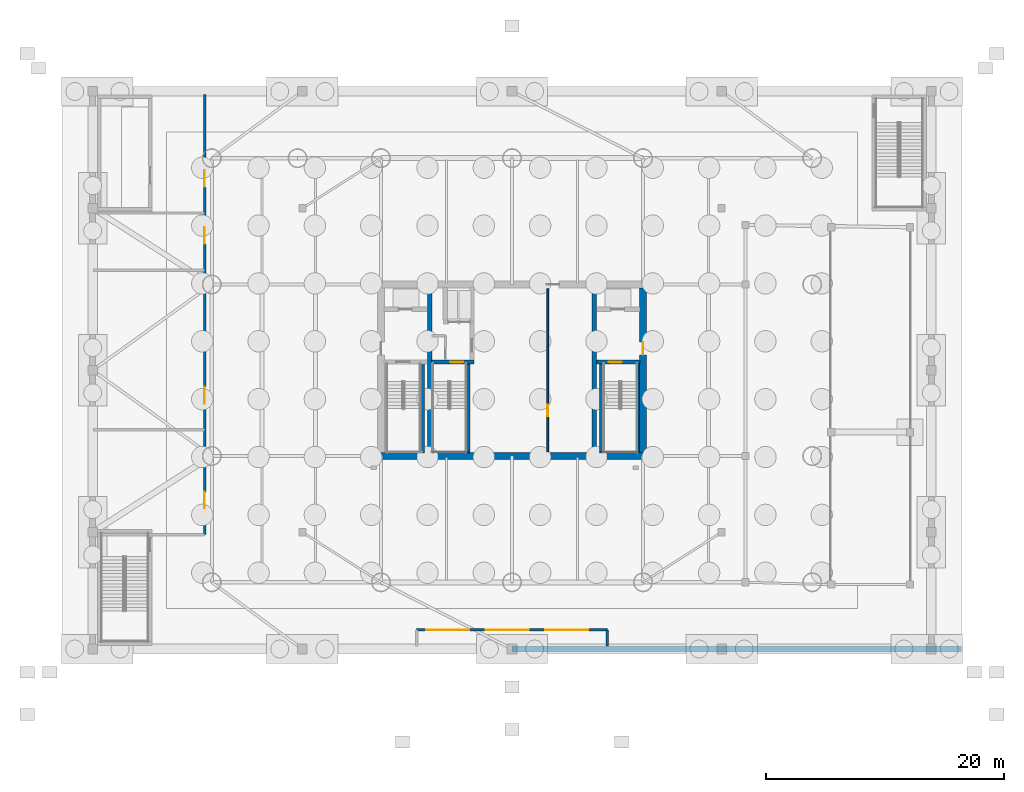
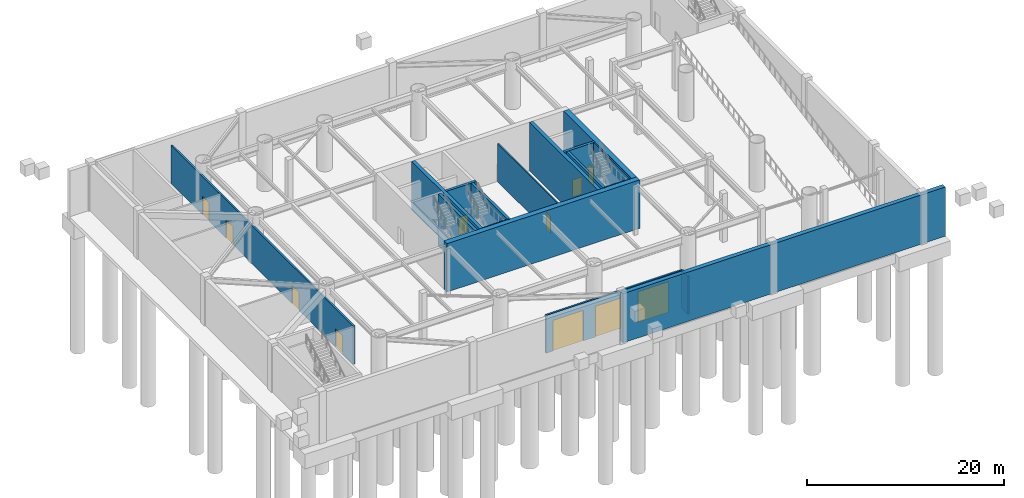
# One storey, part 4 of 12: 17 walls, 11 doors, 11 openings.
"""IFC4 building model written with IfcOpenShell, lengths in metres."""

from ifc_helpers import new_model, si_unit, direction, frame, frame_2d, origin, place, context, subcontext, project, spatial, rectangle, extrude, material, layer, layer_set, type_object, element, fill, save


model = new_model("IFC4")

# Units and contexts
model_context = context("Model", 3, precision=1e-05, world=origin(), true_north=direction((0.0, 1.0)))
body_context = subcontext(model_context, "Body", "Model", "MODEL_VIEW")
ifc_project = project(units=[si_unit("LENGTHUNIT", "METRE"), si_unit("AREAUNIT", "SQUARE_METRE"), si_unit("VOLUMEUNIT", "CUBIC_METRE"), si_unit("PLANEANGLEUNIT", "RADIAN"), si_unit("MASSUNIT", "GRAM", prefix="KILO")], contexts=[model_context])

# Site, building, storey
site_placement = place(None, origin())
site = spatial("IfcSite", under=ifc_project, at=site_placement, CompositionType="ELEMENT")
building_placement = place(site_placement, origin())
building = spatial("IfcBuilding", under=site, at=building_placement, Name="Bramvorn Convention Spire", CompositionType="ELEMENT")
storey_placement = place(building_placement, frame((0.0, 0.0, -6.0)))
storey = spatial("IfcBuildingStorey", under=building, at=storey_placement, Name="B1", CompositionType="ELEMENT", Elevation=-6.0)

# Walls
ifc_material_1 = material(Name="Concrete C60/70", Category="concrete")
ifc_layer_1 = layer(ifc_material_1, 0.5)
ifc_layer_set_1 = layer_set([ifc_layer_1], Name="Concrete C60/70 - WL-BSMT-RET-500")
wall_type_1 = type_object("IfcWallType", Name="WL-BSMT-RET-500", PredefinedType="USERDEFINED", material=ifc_layer_set_1)
wall_1_placement = place(storey_placement, frame((38.0, 2.60009765625, -0.449951171875), z_axis=(0.0, 0.0, 1.0), x_axis=(1.0, 0.0, 0.0)))
element("IfcWall", 1, at=wall_1_placement, inside=storey, type_object=wall_type_1, Name="B1 basement retaining wall S2", ObjectType="RETAINING WALL", PredefinedType="USERDEFINED", context=body_context, shape_type="SweptSolid", body=[
    extrude(rectangle(XDim=37.75, YDim=0.5, at=frame_2d((18.875, 0.0))), origin(), (0.0, 0.0, 1.0), 6.099853515625),
])
ifc_layer_2 = layer(ifc_material_1, 0.60009765625)
ifc_layer_set_2 = layer_set([ifc_layer_2], Name="Concrete C60/70 - WL-CORE-600")
wall_type_2 = type_object("IfcWallType", Name="WL-CORE-600", PredefinedType="SHEAR", material=ifc_layer_set_2)
wall_2_placement = place(storey_placement, frame((26.699951171875, 18.800048828125, 0.0), z_axis=(0.0, 0.0, 1.0), x_axis=(1.0, 0.0, 0.0)))
element("IfcWall", 2, at=wall_2_placement, inside=storey, type_object=wall_type_2, Name="B1 South RC core shear wall", PredefinedType="SHEAR", context=body_context, shape_type="SweptSolid", body=[
    extrude(rectangle(XDim=22.60009765625, YDim=0.60009765625, at=frame_2d((11.300048828125, 0.0))), origin(), (0.0, 0.0, 1.0), 6.0),
])

# Wall, opening, door
wall_3_placement = place(storey_placement, frame((49.0, 19.10009765625, 0.0), z_axis=(0.0, 0.0, 1.0), x_axis=(0.0, 1.0, 0.0)))
wall_3 = element("IfcWall", 3, at=wall_3_placement, inside=storey, type_object=wall_type_2, Name="B1 East RC core shear wall", PredefinedType="SHEAR", context=body_context, shape_type="SweptSolid", body=[
    extrude(rectangle(XDim=13.7998046875, YDim=0.60009765625, at=frame_2d((6.89990234375, 0.0))), origin(), (0.0, 0.0, 1.0), 6.0),
])
opening_1_placement = place(wall_3_placement, frame((8.199951171875, 0.0, 0.0)))
opening_1 = element("IfcOpeningElement", 4, at=opening_1_placement, cuts=wall_3, Name="Opening DL-105", PredefinedType="OPENING", context=body_context, shape_type="SweptSolid", body=[
    extrude(rectangle(XDim=1.050048828125, YDim=2.14990234375, at=frame_2d((0.52490234375, 1.074951171875))), frame((0.0, 0.31005859375, 0.0), z_axis=(0.0, -1.0, 0.0), x_axis=(1.0, 0.0, 0.0)), (0.0, 0.0, 1.0), 0.6201171875),
])
ifc_material_2 = material(Name="Smoke-Sealed Fire Lobby Timber-Core Door", Category="wood")
door_type_1 = type_object("IfcDoorType", Name="DR-LOBBY-1050", OperationType="NOTDEFINED", PredefinedType="DOOR", material=ifc_material_2)
door_1_placement = place(opening_1_placement, origin())
door_1 = element("IfcDoor", 5, at=door_1_placement, inside=storey, type_object=door_type_1, Name="B1 East Firefighting Lobby corridor door", OperationType="SINGLE_SWING_LEFT", OverallHeight=2.14990234375, OverallWidth=1.050048828125, PredefinedType="DOOR", context=body_context, shape_type="SweptSolid", body=[
    extrude(rectangle(XDim=1.050048828125, YDim=2.14990234375, at=frame_2d((0.52490234375, 1.074951171875))), frame((0.0, 0.02490234375, 0.0), z_axis=(0.0, -1.0, 0.0), x_axis=(1.0, 0.0, 0.0)), (0.0, 0.0, 1.0), 0.050048828125),
])
fill(opening_1, door_1)

# Walls
ifc_layer_3 = layer(ifc_material_1, 0.39990234375)
ifc_layer_set_3 = layer_set([ifc_layer_3], Name="Concrete C60/70 - WL-CORE-INT-400")
wall_type_3 = type_object("IfcWallType", Name="WL-CORE-INT-400", PredefinedType="SHEAR", material=ifc_layer_set_3)
for number, where, z_axis, x_axis, name in (
    (6, (31.10009765625, 19.10009765625, 0.0), (0.0, 0.0, 1.0), (0.0, 1.0, 0.0), "B1 West internal core shear web"),
    (7, (44.89990234375, 19.10009765625, 0.0), (0.0, 0.0, 1.0), (0.0, 1.0, 0.0), "B1 East internal core shear web"),
):
    element("IfcWall", number, at=place(storey_placement, frame(where, z_axis=z_axis, x_axis=x_axis)), inside=storey, type_object=wall_type_3, Name=name, PredefinedType="SHEAR", context=body_context, shape_type="SweptSolid", body=[
        extrude(rectangle(XDim=13.7998046875, YDim=0.39990234375, at=frame_2d((6.89990234375, 0.0))), origin(), (0.0, 0.0, 1.0), 6.0),
    ])

# Wall, opening, door
ifc_material_3 = material(Name="Acoustic Metal-Stud Tenant/Corridor Partition", Category="gypsum")
ifc_layer_4 = layer(ifc_material_3, 0.14990234375)
ifc_layer_set_4 = layer_set([ifc_layer_4], Name="Acoustic Metal-Stud Tenant/Corridor Partition - WL-PART-150")
wall_type_4 = type_object("IfcWallType", Name="WL-PART-150", PredefinedType="PARTITIONING", material=ifc_layer_set_4)
wall_4_placement = place(storey_placement, frame((41.0, 19.14990234375, 0.0), z_axis=(0.0, 0.0, 1.0), x_axis=(0.0, 1.0, 0.0)))
wall_4 = element("IfcWall", 8, at=wall_4_placement, inside=storey, type_object=wall_type_4, Name="B1 core service wall", PredefinedType="PARTITIONING", context=body_context, shape_type="SweptSolid", body=[
    extrude(rectangle(XDim=13.7001953125, YDim=0.14990234375, at=frame_2d((6.85009765625, 0.0))), origin(), (0.0, 0.0, 1.0), 4.7099609375),
])
opening_2_placement = place(wall_4_placement, frame((3.0, 0.0, 0.0)))
opening_2 = element("IfcOpeningElement", 9, at=opening_2_placement, cuts=wall_4, Name="Opening DH-095", PredefinedType="OPENING", context=body_context, shape_type="SweptSolid", body=[
    extrude(rectangle(XDim=0.949951171875, YDim=2.14990234375, at=frame_2d((0.47509765625, 1.074951171875))), frame((0.0, 0.0849609375, 0.0), z_axis=(0.0, -1.0, 0.0), x_axis=(1.0, 0.0, 0.0)), (0.0, 0.0, 1.0), 0.169921875),
])
ifc_material_4 = material(Name="Solid-Core Acoustic Guestroom Entry Door", Category="wood")
door_type_2 = type_object("IfcDoorType", Name="DR-HOTEL-950", OperationType="NOTDEFINED", PredefinedType="DOOR", material=ifc_material_4)
door_2_placement = place(opening_2_placement, origin())
door_2 = element("IfcDoor", 10, at=door_2_placement, inside=storey, type_object=door_type_2, Name="B1 Core Store door", OperationType="SINGLE_SWING_LEFT", OverallHeight=2.14990234375, OverallWidth=0.949951171875, PredefinedType="DOOR", context=body_context, shape_type="SweptSolid", body=[
    extrude(rectangle(XDim=0.949951171875, YDim=2.14990234375, at=frame_2d((0.47509765625, 1.074951171875))), frame((0.0, 0.02490234375, 0.0), z_axis=(0.0, -1.0, 0.0), x_axis=(1.0, 0.0, 0.0)), (0.0, 0.0, 1.0), 0.050048828125),
])
fill(opening_2, door_2)

# Wall, openings, doors
ifc_material_5 = material(Name="Gypsum Shaftwall & Rockwool Core Partition", Category="gypsum")
ifc_layer_5 = layer(ifc_material_5, 0.199951171875)
ifc_layer_set_5 = layer_set([ifc_layer_5], Name="Gypsum Shaftwall & Rockwool Core Partition - WL-PART-200-FR")
wall_type_5 = type_object("IfcWallType", Name="WL-PART-200-FR", PredefinedType="PARTITIONING", material=ifc_layer_set_5)
wall_5_placement = place(storey_placement, frame((12.199951171875, 12.199951171875, 0.0), z_axis=(0.0, 0.0, 1.0), x_axis=(0.0, 1.0, 0.0)))
wall_5 = element("IfcWall", 11, at=wall_5_placement, inside=storey, type_object=wall_type_5, Name="B1 West plant corridor wall", PredefinedType="PARTITIONING", context=body_context, shape_type="SweptSolid", body=[
    extrude(rectangle(XDim=36.949951171875, YDim=0.199951171875, at=frame_2d((18.47509765625, 0.0))), origin(), (0.0, 0.0, 1.0), 4.7099609375),
])
opening_3_placement = place(wall_5_placement, frame((2.199951171875, 0.0, 0.0)))
opening_3 = element("IfcOpeningElement", 12, at=opening_3_placement, cuts=wall_5, Name="Opening DP-140", PredefinedType="OPENING", context=body_context, shape_type="SweptSolid", body=[
    extrude(rectangle(XDim=1.39990234375, YDim=2.25, at=frame_2d((0.699951171875, 1.125))), frame((0.0, 0.10986328125, 0.0), z_axis=(0.0, -1.0, 0.0), x_axis=(1.0, 0.0, 0.0)), (0.0, 0.0, 1.0), 0.219970703125),
])
opening_4_placement = place(wall_5_placement, frame((11.0, 0.0, 0.0)))
opening_4 = element("IfcOpeningElement", 13, at=opening_4_placement, cuts=wall_5, Name="Opening DP-140", PredefinedType="OPENING", context=body_context, shape_type="SweptSolid", body=[
    extrude(rectangle(XDim=1.39990234375, YDim=2.25, at=frame_2d((0.699951171875, 1.125))), frame((0.0, 0.10986328125, 0.0), z_axis=(0.0, -1.0, 0.0), x_axis=(1.0, 0.0, 0.0)), (0.0, 0.0, 1.0), 0.219970703125),
])
opening_5_placement = place(wall_5_placement, frame((24.39990234375, 0.0, 0.0)))
opening_5 = element("IfcOpeningElement", 14, at=opening_5_placement, cuts=wall_5, Name="Opening DP-140", PredefinedType="OPENING", context=body_context, shape_type="SweptSolid", body=[
    extrude(rectangle(XDim=1.39990234375, YDim=2.25, at=frame_2d((0.699951171875, 1.125))), frame((0.0, 0.10986328125, 0.0), z_axis=(0.0, -1.0, 0.0), x_axis=(1.0, 0.0, 0.0)), (0.0, 0.0, 1.0), 0.219970703125),
])
opening_6_placement = place(wall_5_placement, frame((29.199951171875, 0.0, 0.0)))
opening_6 = element("IfcOpeningElement", 15, at=opening_6_placement, cuts=wall_5, Name="Opening DP-140", PredefinedType="OPENING", context=body_context, shape_type="SweptSolid", body=[
    extrude(rectangle(XDim=1.39990234375, YDim=2.25, at=frame_2d((0.699951171875, 1.125))), frame((0.0, 0.10986328125, 0.0), z_axis=(0.0, -1.0, 0.0), x_axis=(1.0, 0.0, 0.0)), (0.0, 0.0, 1.0), 0.219970703125),
])
ifc_material_6 = material(Name="Heavy-Duty Acoustic Louvre Plant Room Door", Category="steel")
door_type_3 = type_object("IfcDoorType", Name="DR-PLANT-1400", OperationType="NOTDEFINED", PredefinedType="DOOR", material=ifc_material_6)
door_3_placement = place(opening_3_placement, origin())
door_3 = element("IfcDoor", 16, at=door_3_placement, inside=storey, type_object=door_type_3, Name="B1 Central Chiller & Deep-Lake Heat-Exchanger Plant double door", OperationType="DOUBLE_DOOR_SINGLE_SWING", OverallHeight=2.25, OverallWidth=1.39990234375, PredefinedType="DOOR", context=body_context, shape_type="SweptSolid", body=[
    extrude(rectangle(XDim=1.39990234375, YDim=2.25, at=frame_2d((0.699951171875, 1.125))), frame((0.0, 0.02490234375, 0.0), z_axis=(0.0, -1.0, 0.0), x_axis=(1.0, 0.0, 0.0)), (0.0, 0.0, 1.0), 0.050048828125),
])
fill(opening_3, door_3)
door_4_placement = place(opening_4_placement, origin())
door_4 = element("IfcDoor", 17, at=door_4_placement, inside=storey, type_object=door_type_3, Name="B1 Domestic Water Booster, Fire Pump & Sprinkler Tank Room double door", OperationType="DOUBLE_DOOR_SINGLE_SWING", OverallHeight=2.25, OverallWidth=1.39990234375, PredefinedType="DOOR", context=body_context, shape_type="SweptSolid", body=[
    extrude(rectangle(XDim=1.39990234375, YDim=2.25, at=frame_2d((0.699951171875, 1.125))), frame((0.0, 0.02490234375, 0.0), z_axis=(0.0, -1.0, 0.0), x_axis=(1.0, 0.0, 0.0)), (0.0, 0.0, 1.0), 0.050048828125),
])
fill(opening_4, door_4)
door_5_placement = place(opening_5_placement, origin())
door_5 = element("IfcDoor", 18, at=door_5_placement, inside=storey, type_object=door_type_3, Name="B1 Primary High-Voltage Substation & Switchgear Room double door", OperationType="DOUBLE_DOOR_SINGLE_SWING", OverallHeight=2.25, OverallWidth=1.39990234375, PredefinedType="DOOR", context=body_context, shape_type="SweptSolid", body=[
    extrude(rectangle(XDim=1.39990234375, YDim=2.25, at=frame_2d((0.699951171875, 1.125))), frame((0.0, 0.02490234375, 0.0), z_axis=(0.0, -1.0, 0.0), x_axis=(1.0, 0.0, 0.0)), (0.0, 0.0, 1.0), 0.050048828125),
])
fill(opening_5, door_5)
door_6_placement = place(opening_6_placement, origin())
door_6 = element("IfcDoor", 19, at=door_6_placement, inside=storey, type_object=door_type_3, Name="B1 Emergency Standby Generator & ATS Plant Room double door", OperationType="DOUBLE_DOOR_SINGLE_SWING", OverallHeight=2.25, OverallWidth=1.39990234375, PredefinedType="DOOR", context=body_context, shape_type="SweptSolid", body=[
    extrude(rectangle(XDim=1.39990234375, YDim=2.25, at=frame_2d((0.699951171875, 1.125))), frame((0.0, 0.02490234375, 0.0), z_axis=(0.0, -1.0, 0.0), x_axis=(1.0, 0.0, 0.0)), (0.0, 0.0, 1.0), 0.050048828125),
])
fill(opening_6, door_6)

wall_6_placement = place(storey_placement, frame((30.0, 4.199951171875, 0.0), z_axis=(0.0, 0.0, 1.0), x_axis=(1.0, 0.0, 0.0)))
wall_6 = element("IfcWall", 20, at=wall_6_placement, inside=storey, type_object=wall_type_5, Name="B1 Service equipment bay shutter wall", PredefinedType="PARTITIONING", context=body_context, shape_type="SweptSolid", body=[
    extrude(rectangle(XDim=16.0, YDim=0.199951171875, at=frame_2d((8.0, 0.0))), origin(), (0.0, 0.0, 1.0), 4.7099609375),
])
opening_7_placement = place(wall_6_placement, frame((0.800048828125, 0.0, 0.0)))
opening_7 = element("IfcOpeningElement", 21, at=opening_7_placement, cuts=wall_6, Name="Opening VD01", PredefinedType="OPENING", context=body_context, shape_type="SweptSolid", body=[
    extrude(rectangle(XDim=3.60009765625, YDim=3.800048828125, at=frame_2d((1.800048828125, 1.89990234375))), frame((0.0, 0.10986328125, 0.0), z_axis=(0.0, -1.0, 0.0), x_axis=(1.0, 0.0, 0.0)), (0.0, 0.0, 1.0), 0.219970703125),
])
opening_8_placement = place(wall_6_placement, frame((5.800048828125, 0.0, 0.0)))
opening_8 = element("IfcOpeningElement", 22, at=opening_8_placement, cuts=wall_6, Name="Opening VD01", PredefinedType="OPENING", context=body_context, shape_type="SweptSolid", body=[
    extrude(rectangle(XDim=3.60009765625, YDim=3.800048828125, at=frame_2d((1.800048828125, 1.89990234375))), frame((0.0, 0.10986328125, 0.0), z_axis=(0.0, -1.0, 0.0), x_axis=(1.0, 0.0, 0.0)), (0.0, 0.0, 1.0), 0.219970703125),
])
opening_9_placement = place(wall_6_placement, frame((10.800048828125, 0.0, 0.0)))
opening_9 = element("IfcOpeningElement", 23, at=opening_9_placement, cuts=wall_6, Name="Opening VD01", PredefinedType="OPENING", context=body_context, shape_type="SweptSolid", body=[
    extrude(rectangle(XDim=3.60009765625, YDim=3.800048828125, at=frame_2d((1.800048828125, 1.89990234375))), frame((0.0, 0.10986328125, 0.0), z_axis=(0.0, -1.0, 0.0), x_axis=(1.0, 0.0, 0.0)), (0.0, 0.0, 1.0), 0.219970703125),
])
ifc_material_7 = material(Name="Anodised Bronze Aluminium & Laminated Safety Glass", Category="aluminium")
door_type_4 = type_object("IfcDoorType", Name="DR-DOCK-3600X3800", OperationType="NOTDEFINED", PredefinedType="TRAPDOOR", material=ifc_material_7)
door_7_placement = place(opening_7_placement, origin())
door_7 = element("IfcDoor", 24, at=door_7_placement, inside=storey, type_object=door_type_4, Name="B1 Service Bay Overhead Shutter 1", OperationType="ROLLINGUP", OverallHeight=3.800048828125, OverallWidth=3.60009765625, PredefinedType="TRAPDOOR", context=body_context, shape_type="SweptSolid", body=[
    extrude(rectangle(XDim=3.60009765625, YDim=3.800048828125, at=frame_2d((1.800048828125, 1.89990234375))), frame((0.0, 0.02490234375, 0.0), z_axis=(0.0, -1.0, 0.0), x_axis=(1.0, 0.0, 0.0)), (0.0, 0.0, 1.0), 0.050048828125),
])
fill(opening_7, door_7)
door_8_placement = place(opening_8_placement, origin())
door_8 = element("IfcDoor", 25, at=door_8_placement, inside=storey, type_object=door_type_4, Name="B1 Service Bay Overhead Shutter 2", OperationType="ROLLINGUP", OverallHeight=3.800048828125, OverallWidth=3.60009765625, PredefinedType="TRAPDOOR", context=body_context, shape_type="SweptSolid", body=[
    extrude(rectangle(XDim=3.60009765625, YDim=3.800048828125, at=frame_2d((1.800048828125, 1.89990234375))), frame((0.0, 0.02490234375, 0.0), z_axis=(0.0, -1.0, 0.0), x_axis=(1.0, 0.0, 0.0)), (0.0, 0.0, 1.0), 0.050048828125),
])
fill(opening_8, door_8)
door_9_placement = place(opening_9_placement, origin())
door_9 = element("IfcDoor", 26, at=door_9_placement, inside=storey, type_object=door_type_4, Name="B1 Service Bay Overhead Shutter 3", OperationType="ROLLINGUP", OverallHeight=3.800048828125, OverallWidth=3.60009765625, PredefinedType="TRAPDOOR", context=body_context, shape_type="SweptSolid", body=[
    extrude(rectangle(XDim=3.60009765625, YDim=3.800048828125, at=frame_2d((1.800048828125, 1.89990234375))), frame((0.0, 0.02490234375, 0.0), z_axis=(0.0, -1.0, 0.0), x_axis=(1.0, 0.0, 0.0)), (0.0, 0.0, 1.0), 0.050048828125),
])
fill(opening_9, door_9)

# Walls
wall_7_placement = place(storey_placement, frame((46.0, 2.85009765625, 0.0), z_axis=(0.0, 0.0, 1.0), x_axis=(0.0, 1.0, 0.0)))
element("IfcWall", 27, at=wall_7_placement, inside=storey, type_object=wall_type_5, Name="B1 Service bay east return", PredefinedType="PARTITIONING", context=body_context, shape_type="SweptSolid", body=[
    extrude(rectangle(XDim=1.349853515625, YDim=0.199951171875, at=frame_2d((0.6748046875, 0.0))), origin(), (0.0, 0.0, 1.0), 4.7099609375),
])
ifc_material_8 = material(Name="Concrete C50/60", Category="concrete")
ifc_layer_6 = layer(ifc_material_8, 0.300048828125)
ifc_layer_set_6 = layer_set([ifc_layer_6], Name="Concrete C50/60 - WL-POD-STAIR-300")
wall_type_6 = type_object("IfcWallType", Name="WL-POD-STAIR-300", PredefinedType="SHEAR", material=ifc_layer_set_6)
wall_8_placement = place(storey_placement, frame((30.489990234375, 19.050048828125, -0.449951171875), z_axis=(0.0, 0.0, 1.0), x_axis=(0.0, 1.0, 0.0)))
element("IfcWall", 28, at=wall_8_placement, inside=storey, type_object=wall_type_6, Name="B1 ST1 east bearing wall", PredefinedType="SHEAR", context=body_context, shape_type="SweptSolid", body=[
    extrude(rectangle(XDim=7.5, YDim=0.300048828125, at=frame_2d((3.75, 0.0))), origin(), (0.0, 0.0, 1.0), 6.449951171875),
])

# Wall, opening, door
wall_9_placement = place(storey_placement, frame((45.080078125, 26.68994140625, -0.449951171875), z_axis=(0.0, 0.0, 1.0), x_axis=(1.0, 0.0, 0.0)))
wall_9 = element("IfcWall", 29, at=wall_9_placement, inside=storey, type_object=wall_type_6, Name="B1 ST2 north fire wall", PredefinedType="SHEAR", context=body_context, shape_type="SweptSolid", body=[
    extrude(rectangle(XDim=3.669921875, YDim=0.300048828125, at=frame_2d((1.8349609375, 0.0))), origin(), (0.0, 0.0, 1.0), 6.449951171875),
])
opening_10_placement = place(wall_9_placement, frame((1.050048828125, 0.0, 0.449951171875)))
opening_10 = element("IfcOpeningElement", 30, at=opening_10_placement, cuts=wall_9, Name="Opening DS-110", PredefinedType="OPENING", context=body_context, shape_type="SweptSolid", body=[
    extrude(rectangle(XDim=1.10009765625, YDim=2.14990234375, at=frame_2d((0.550048828125, 1.074951171875))), frame((0.0, 0.159912109375, 0.0), z_axis=(0.0, -1.0, 0.0), x_axis=(1.0, 0.0, 0.0)), (0.0, 0.0, 1.0), 0.320068359375),
])
ifc_material_9 = material(Name="Fire-Rated Hollow Steel Stairwell Door", Category="steel")
door_type_5 = type_object("IfcDoorType", Name="DR-STAIR-1100", OperationType="NOTDEFINED", PredefinedType="DOOR", material=ifc_material_9)
door_10_placement = place(opening_10_placement, origin())
door_10 = element("IfcDoor", 31, at=door_10_placement, inside=storey, type_object=door_type_5, Name="B1 Stair ST2 fire door", OperationType="SINGLE_SWING_RIGHT", OverallHeight=2.14990234375, OverallWidth=1.10009765625, PredefinedType="DOOR", context=body_context, shape_type="SweptSolid", body=[
    extrude(rectangle(XDim=1.10009765625, YDim=2.14990234375, at=frame_2d((0.550048828125, 1.074951171875))), frame((0.0, 0.02490234375, 0.0), z_axis=(0.0, -1.0, 0.0), x_axis=(1.0, 0.0, 0.0)), (0.0, 0.0, 1.0), 0.050048828125),
])
fill(opening_10, door_10)

# Walls
for number, where, z_axis, x_axis, name in (
    (32, (45.510009765625, 19.050048828125, -0.449951171875), (0.0, 0.0, 1.0), (0.0, 1.0, 0.0), "B1 ST2 west bearing wall"),
    (33, (34.340087890625, 19.050048828125, -0.449951171875), (0.0, 0.0, 1.0), (0.0, 1.0, 0.0), "B1 ST3 east bearing wall"),
):
    element("IfcWall", number, at=place(storey_placement, frame(where, z_axis=z_axis, x_axis=x_axis)), inside=storey, type_object=wall_type_6, Name=name, PredefinedType="SHEAR", context=body_context, shape_type="SweptSolid", body=[
        extrude(rectangle(XDim=7.5, YDim=0.300048828125, at=frame_2d((3.75, 0.0))), origin(), (0.0, 0.0, 1.0), 6.449951171875),
    ])

# Wall, opening, door
wall_10_placement = place(storey_placement, frame((31.25, 26.68994140625, -0.449951171875), z_axis=(0.0, 0.0, 1.0), x_axis=(1.0, 0.0, 0.0)))
wall_10 = element("IfcWall", 34, at=wall_10_placement, inside=storey, type_object=wall_type_6, Name="B1 ST3 north lobby wall", PredefinedType="SHEAR", context=body_context, shape_type="SweptSolid", body=[
    extrude(rectangle(XDim=3.56005859375, YDim=0.300048828125, at=frame_2d((1.780029296875, 0.0))), origin(), (0.0, 0.0, 1.0), 6.449951171875),
])
opening_11_placement = place(wall_10_placement, frame((1.550048828125, 0.0, 0.449951171875)))
opening_11 = element("IfcOpeningElement", 35, at=opening_11_placement, cuts=wall_10, Name="Opening DS-110", PredefinedType="OPENING", context=body_context, shape_type="SweptSolid", body=[
    extrude(rectangle(XDim=1.10009765625, YDim=2.14990234375, at=frame_2d((0.550048828125, 1.074951171875))), frame((0.0, 0.159912109375, 0.0), z_axis=(0.0, -1.0, 0.0), x_axis=(1.0, 0.0, 0.0)), (0.0, 0.0, 1.0), 0.320068359375),
])
door_11_placement = place(opening_11_placement, origin())
door_11 = element("IfcDoor", 36, at=door_11_placement, inside=storey, type_object=door_type_5, Name="B1 Stair ST3 fire door", OperationType="SINGLE_SWING_LEFT", OverallHeight=2.14990234375, OverallWidth=1.10009765625, PredefinedType="DOOR", context=body_context, shape_type="SweptSolid", body=[
    extrude(rectangle(XDim=1.10009765625, YDim=2.14990234375, at=frame_2d((0.550048828125, 1.074951171875))), frame((0.0, 0.02490234375, 0.0), z_axis=(0.0, -1.0, 0.0), x_axis=(1.0, 0.0, 0.0)), (0.0, 0.0, 1.0), 0.050048828125),
])
fill(opening_11, door_11)

# Walls
ifc_layer_7 = layer(ifc_material_8, 0.1201171875)
ifc_layer_set_7 = layer_set([ifc_layer_7], Name="Concrete C50/60 - WL-STAIR-RC-120")
wall_type_7 = type_object("IfcWallType", Name="WL-STAIR-RC-120", PredefinedType="SHEAR", material=ifc_layer_set_7)
wall_11_placement = place(storey_placement, frame((48.60498046875, 19.10009765625, -0.449951171875), z_axis=(0.0, 0.0, 1.0), x_axis=(0.0, 1.0, 0.0)))
element("IfcWall", 37, at=wall_11_placement, inside=storey, type_object=wall_type_7, Name="B1 ST2 east bearing shear wall", PredefinedType="SHEAR", context=body_context, shape_type="SweptSolid", body=[
    extrude(rectangle(XDim=7.449951171875, YDim=0.1201171875, at=frame_2d((3.72509765625, 0.0))), origin(), (0.0, 0.0, 1.0), 6.449951171875),
])
wall_12_placement = place(storey_placement, frame((45.510009765625, 19.159912109375, -0.449951171875), z_axis=(0.0, 0.0, 1.0), x_axis=(1.0, 0.0, 0.0)))
element("IfcWall", 38, at=wall_12_placement, inside=storey, type_object=wall_type_7, Name="B1 ST2 south bearing shear wall", PredefinedType="SHEAR", context=body_context, shape_type="SweptSolid", body=[
    extrude(rectangle(XDim=3.094970703125, YDim=0.1201171875, at=frame_2d((1.54736328125, 0.0))), origin(), (0.0, 0.0, 1.0), 6.449951171875),
])
wall_13_placement = place(storey_placement, frame((31.300048828125, 19.159912109375, -0.449951171875), z_axis=(0.0, 0.0, 1.0), x_axis=(1.0, 0.0, 0.0)))
element("IfcWall", 39, at=wall_13_placement, inside=storey, type_object=wall_type_7, Name="B1 ST3 south bearing shear wall", PredefinedType="SHEAR", context=body_context, shape_type="SweptSolid", body=[
    extrude(rectangle(XDim=3.0400390625, YDim=0.1201171875, at=frame_2d((1.52001953125, 0.0))), origin(), (0.0, 0.0, 1.0), 6.449951171875),
])

save(model, "model.ifc")
